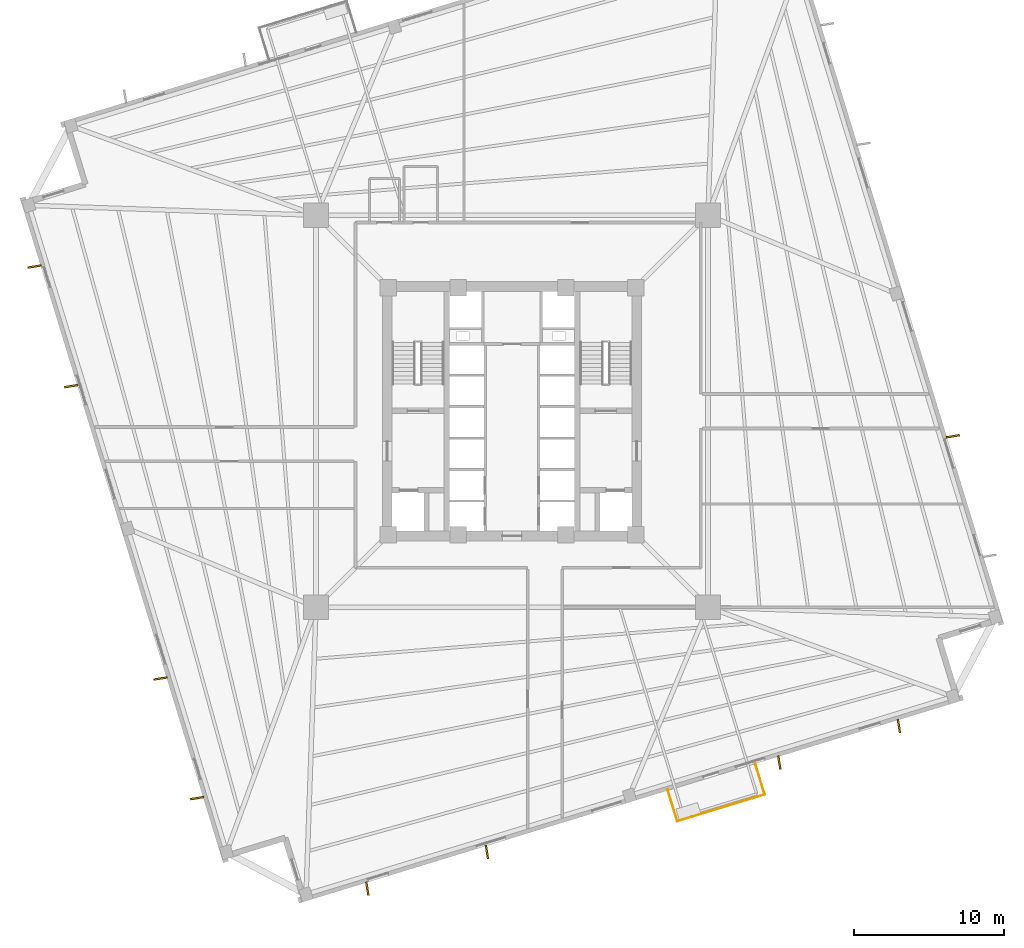
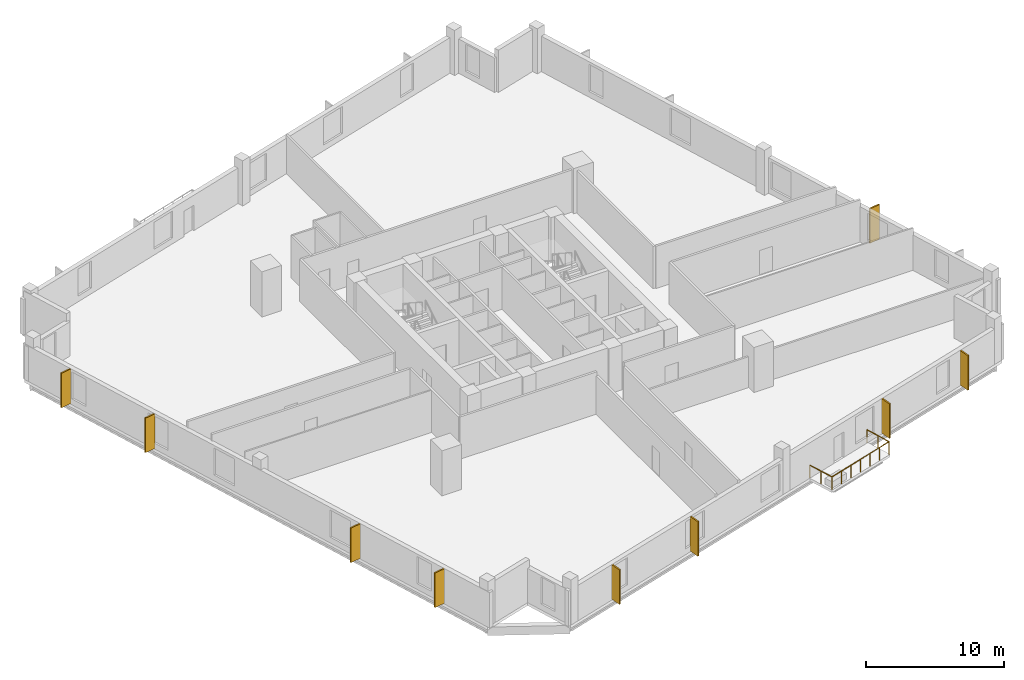
# One storey, part 6 of 8: 9 coverings, 3 railings.
"""IFC4 building model written with IfcOpenShell, lengths in metres."""

from ifc_helpers import new_model, si_unit, direction, frame, origin, origin_2d, place, context, subcontext, project, spatial, rectangle, circle, extrude, source, transform, mapped, material, layer, layer_set, type_object, element, save


model = new_model("IFC4")

# Units and contexts
model_context = context("Model", 3, precision=1e-05, world=origin(), true_north=direction((0.0, 1.0)))
body_context = subcontext(model_context, "Body", "Model", "MODEL_VIEW")
ifc_project = project(units=[si_unit("LENGTHUNIT", "METRE"), si_unit("AREAUNIT", "SQUARE_METRE"), si_unit("VOLUMEUNIT", "CUBIC_METRE"), si_unit("PLANEANGLEUNIT", "RADIAN"), si_unit("MASSUNIT", "GRAM", prefix="KILO"), si_unit("THERMODYNAMICTEMPERATUREUNIT", "KELVIN")], contexts=[model_context])

# Site, building, storey
site_placement = place(None, origin())
site = spatial("IfcSite", under=ifc_project, at=site_placement, CompositionType="ELEMENT")
building_placement = place(site_placement, origin())
building = spatial("IfcBuilding", under=site, at=building_placement, Name="Kosmvard Interchange Tower", CompositionType="ELEMENT")
storey_placement = place(building_placement, frame((0.0, 0.0, 99.199951171875)))
storey = spatial("IfcBuildingStorey", under=building, at=storey_placement, Name="L23", CompositionType="ELEMENT", Elevation=99.199951171875)

# Coverings
ifc_material_1 = material(Name="Architectural anodised aluminium", Category="aluminium")
ifc_layer = layer(ifc_material_1, 0.1201171875, Name="Architectural anodised aluminium")
ifc_layer_set = layer_set([ifc_layer], Name="Architectural anodised aluminium")
covering_type = type_object("IfcCoveringType", Name="Rotating Vertical Sun-Breaker Fin 900x120 Aluminium", PredefinedType="CLADDING", material=ifc_layer_set)
shared_shape_1 = source(origin(), body_context, "Body", "SweptSolid", [
    extrude(rectangle(XDim=0.89990234375, YDim=0.1201171875, at=origin_2d()), origin(), (0.0, 0.0, 1.0), 3.06005859375),
])
for number, where, z_axis, x_axis, name in (
    (1, (-9.6572265625, -31.865966796875, 0.0400390625), (0.0, 0.0, 1.0), (0.158330401065, -0.987386187922, 0.0), "L23 Rotating Vertical Sun-Breaker Fin 01"),
    (2, (-1.673583984375, -29.425048828125, 0.0400390625), (0.0, 0.0, 1.0), (0.158330401065, -0.987386187922, 0.0), "L23 Rotating Vertical Sun-Breaker Fin 02"),
    (3, (17.841796875, -23.45849609375, 0.0400390625), (0.0, 0.0, 1.0), (0.158330401065, -0.987386187922, 0.0), "L23 Rotating Vertical Sun-Breaker Fin 03"),
    (4, (25.825439453125, -21.017822265625, 0.0400390625), (0.0, 0.0, 1.0), (0.158330401065, -0.987386187922, 0.0), "L23 Rotating Vertical Sun-Breaker Fin 04"),
    (5, (29.425048828125, -1.673583984375, 0.0400390625), (0.0, 0.0, 1.0), (0.987386187922, 0.158330401065, 0.0), "L23 Rotating Vertical Sun-Breaker Fin 06"),
    (6, (-31.865966796875, 9.6572265625, 0.0400390625), (0.0, 0.0, 1.0), (-0.987386187922, -0.158330401065, 0.0), "L23 Rotating Vertical Sun-Breaker Fin 13"),
    (7, (-29.425048828125, 1.673583984375, 0.0400390625), (0.0, 0.0, 1.0), (-0.987386187922, -0.158330401065, 0.0), "L23 Rotating Vertical Sun-Breaker Fin 14"),
    (8, (-23.45849609375, -17.841796875, 0.0400390625), (0.0, 0.0, 1.0), (-0.987386187922, -0.158330401065, 0.0), "L23 Rotating Vertical Sun-Breaker Fin 15"),
    (9, (-21.017822265625, -25.825439453125, 0.0400390625), (0.0, 0.0, 1.0), (-0.987386187922, -0.158330401065, 0.0), "L23 Rotating Vertical Sun-Breaker Fin 16"),
):
    element("IfcCovering", number, at=place(storey_placement, frame(where, z_axis=z_axis, x_axis=x_axis)), inside=storey, type_object=covering_type, Name=name, PredefinedType="CLADDING", context=body_context, shape_type="MappedRepresentation", body=[
        mapped(shared_shape_1, transform((0.0, 0.0, 0.0), scale=1.0)),
    ])

# Railings
ifc_material_2 = material(Name="Steel S355", Category="steel")
railing_type = type_object("IfcRailingType", Name="Observation & Balcony Glass-Infill Balustrade 1150", PredefinedType="BALUSTRADE", material=ifc_material_2)
shared_shape_2 = source(origin(), body_context, "Body", "SweptSolid", [
    extrude(circle(Radius=0.02392578125, at=origin_2d()), frame((0.0, 0.0, 1.1259765625), z_axis=(0.292291835236, -0.956329170869, 0.0), x_axis=(0.956329170869, 0.292291835236, 0.0)), (0.0, 0.0, 1.0), 2.2001953125),
    extrude(circle(Radius=0.02099609375, at=origin_2d()), origin(), (0.0, 0.0, 1.0), 1.101806640625),
    extrude(circle(Radius=0.02099609375, at=origin_2d()), frame((0.321533203125, -1.052001953125, 0.0)), (0.0, 0.0, 1.0), 1.101806640625),
    extrude(circle(Radius=0.02099609375, at=origin_2d()), frame((0.64306640625, -2.10400390625, 0.0)), (0.0, 0.0, 1.0), 1.101806640625),
])
railing_1_placement = place(storey_placement, frame((10.39111328125, -25.265869140625, 0.0)))
element("IfcRailing", 10, at=railing_1_placement, inside=storey, type_object=railing_type, Name="L23 Outdoor Terrace Guard BAL-L23-SW-A", PredefinedType="BALUSTRADE", context=body_context, shape_type="MappedRepresentation", body=[
    mapped(shared_shape_2, transform((0.0, 0.0, 0.0), scale=1.0)),
])
shared_shape_3 = source(origin(), body_context, "Body", "SweptSolid", [
    extrude(circle(Radius=0.02392578125, at=origin_2d()), frame((0.0, 0.0, 1.1259765625), z_axis=(0.956306198406, 0.292366986664, 0.0), x_axis=(-0.292366986664, 0.956306198406, 0.0)), (0.0, 0.0, 1.0), 6.10009765625),
    extrude(circle(Radius=0.02099609375, at=origin_2d()), origin(), (0.0, 0.0, 1.0), 1.101806640625),
    extrude(circle(Radius=0.02099609375, at=origin_2d()), frame((0.97216796875, 0.29736328125, 0.0)), (0.0, 0.0, 1.0), 1.101806640625),
    extrude(circle(Radius=0.02099609375, at=origin_2d()), frame((1.944580078125, 0.594482421875, 0.0)), (0.0, 0.0, 1.0), 1.101806640625),
    extrude(circle(Radius=0.02099609375, at=origin_2d()), frame((2.916748046875, 0.8916015625, 0.0)), (0.0, 0.0, 1.0), 1.101806640625),
    extrude(circle(Radius=0.02099609375, at=origin_2d()), frame((3.888916015625, 1.18896484375, 0.0)), (0.0, 0.0, 1.0), 1.101806640625),
    extrude(circle(Radius=0.02099609375, at=origin_2d()), frame((4.861328125, 1.486328125, 0.0)), (0.0, 0.0, 1.0), 1.101806640625),
    extrude(circle(Radius=0.02099609375, at=origin_2d()), frame((5.83349609375, 1.783447265625, 0.0)), (0.0, 0.0, 1.0), 1.101806640625),
])
railing_2_placement = place(storey_placement, frame((11.0341796875, -27.369873046875, 0.0)))
element("IfcRailing", 11, at=railing_2_placement, inside=storey, type_object=railing_type, Name="L23 Outdoor Terrace Guard BAL-L23-SW-B", PredefinedType="BALUSTRADE", context=body_context, shape_type="MappedRepresentation", body=[
    mapped(shared_shape_3, transform((0.0, 0.0, 0.0), scale=1.0)),
])
shared_shape_4 = source(origin(), body_context, "Body", "SweptSolid", [
    extrude(circle(Radius=0.02392578125, at=origin_2d()), frame((0.0, 0.0, 1.1259765625), z_axis=(-0.292291835236, 0.956329170869, 0.0), x_axis=(-0.956329170869, -0.292291835236, 0.0)), (0.0, 0.0, 1.0), 2.2001953125),
    extrude(circle(Radius=0.02099609375, at=origin_2d()), origin(), (0.0, 0.0, 1.0), 1.101806640625),
    extrude(circle(Radius=0.02099609375, at=origin_2d()), frame((-0.321533203125, 1.052001953125, 0.0)), (0.0, 0.0, 1.0), 1.101806640625),
    extrude(circle(Radius=0.02099609375, at=origin_2d()), frame((-0.64306640625, 2.10400390625, 0.0)), (0.0, 0.0, 1.0), 1.101806640625),
])
railing_3_placement = place(storey_placement, frame((16.86767578125, -25.58642578125, 0.0)))
element("IfcRailing", 12, at=railing_3_placement, inside=storey, type_object=railing_type, Name="L23 Outdoor Terrace Guard BAL-L23-SW-C", PredefinedType="BALUSTRADE", context=body_context, shape_type="MappedRepresentation", body=[
    mapped(shared_shape_4, transform((0.0, 0.0, 0.0), scale=1.0)),
])

save(model, "model.ifc")
